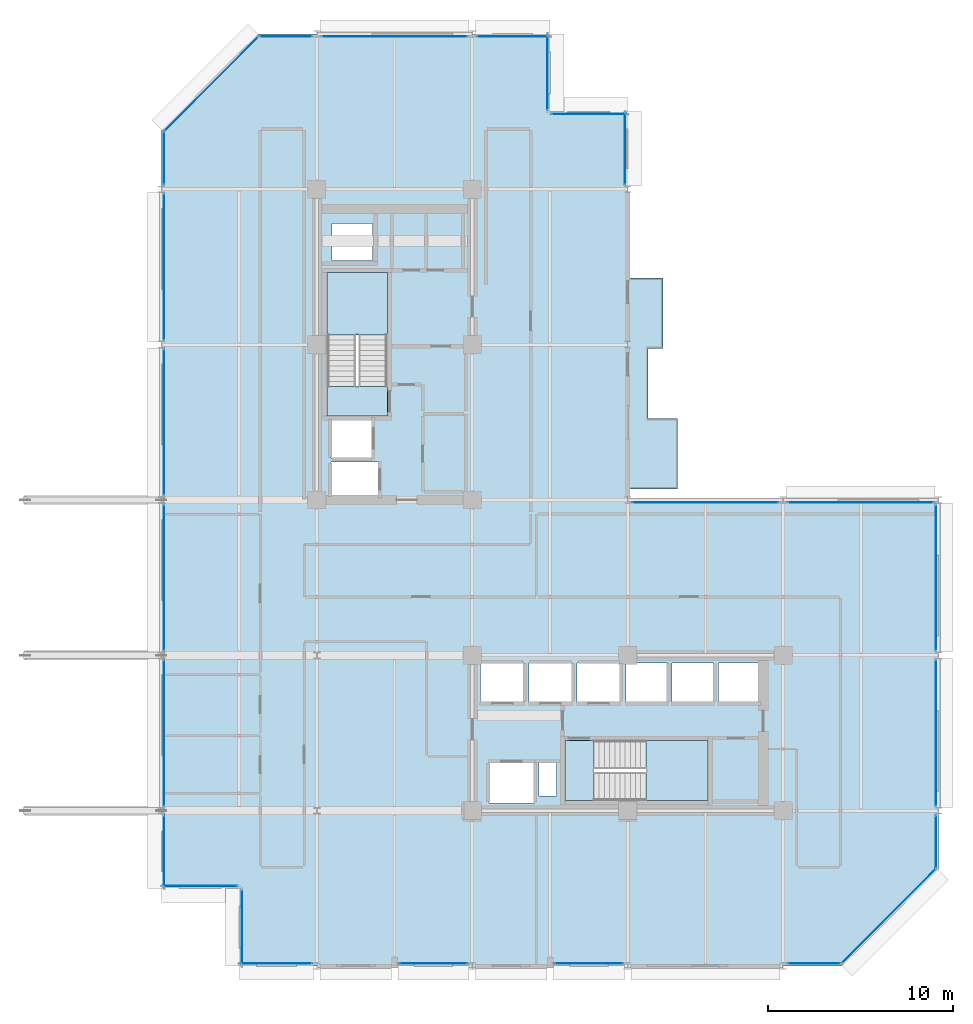
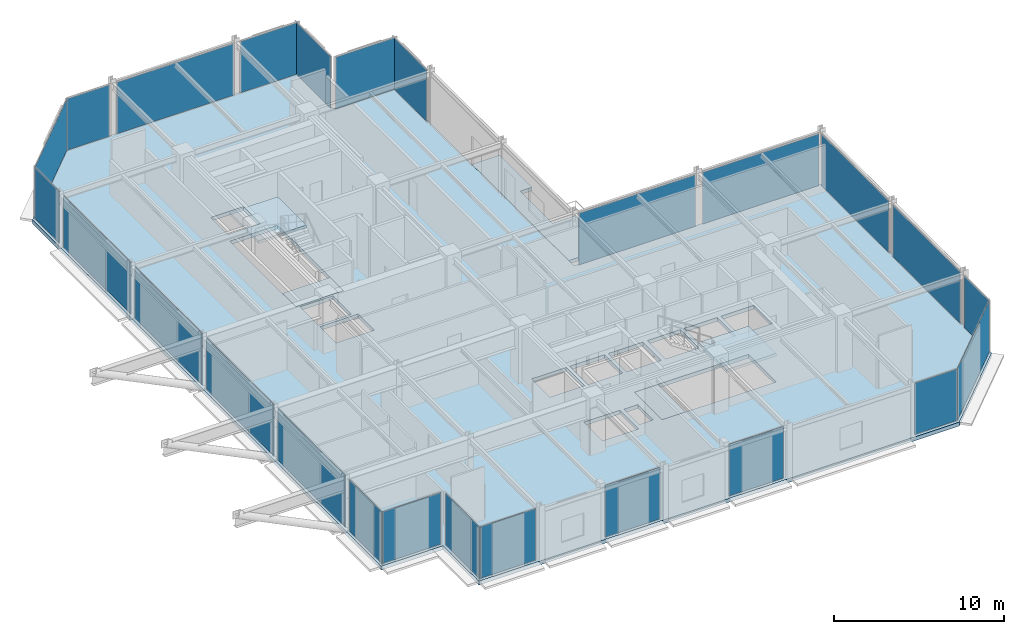
# One storey, part 24 of 30: 25 plates, 6 slabs, 27 elements without a shape of their own.
"""IFC4 building model written with IfcOpenShell, lengths in metres."""

from ifc_helpers import new_model, si_unit, direction, frame, origin, origin_2d, place, context, subcontext, project, spatial, polyline, rectangle, outline, extrude, material, layer, layer_set, type_object, element, aggregate, save


model = new_model("IFC4")

# Units and contexts
model_context = context("Model", 3, precision=1e-05, world=origin(), true_north=direction((0.0, 1.0)))
body_context = subcontext(model_context, "Body", "Model", "MODEL_VIEW")
ifc_project = project(units=[si_unit("LENGTHUNIT", "METRE"), si_unit("AREAUNIT", "SQUARE_METRE"), si_unit("VOLUMEUNIT", "CUBIC_METRE"), si_unit("PLANEANGLEUNIT", "RADIAN"), si_unit("MASSUNIT", "GRAM", prefix="KILO")], contexts=[model_context])

# Site, building, storey
site_placement = place(None, origin())
site = spatial("IfcSite", under=ifc_project, at=site_placement, CompositionType="ELEMENT")
building_placement = place(site_placement, origin())
building = spatial("IfcBuilding", under=site, at=building_placement, Name="Nerrivon Quay Data Exchange", CompositionType="ELEMENT")
storey_placement = place(building_placement, frame((0.0, 0.0, 167.300048828125)))
storey = spatial("IfcBuildingStorey", under=building, at=storey_placement, Name="L39", CompositionType="ELEMENT", Elevation=167.300048828125)

# Curtain wall, plate
ifc_material_1 = material(Name="Anodised aluminium 6063-T6", Category="aluminium")
ifc_layer_1 = layer(ifc_material_1, 0.195068359375)
ifc_layer_set_1 = layer_set([ifc_layer_1], Name="Anodised aluminium 6063-T6")
curtain_wall_type = type_object("IfcCurtainWallType", Name="CW-SYS-06", PredefinedType="NOTDEFINED", material=ifc_layer_set_1)
curtain_wall_1_placement = place(storey_placement, origin())
curtain_wall_1 = element("IfcCurtainWall", 1, at=curtain_wall_1_placement, inside=storey, type_object=curtain_wall_type, Name="L39 Unitised Curtain Wall 1", PredefinedType="NOTDEFINED")
ifc_material_2 = material(Name="Double-glazed low-E solar control glass", Category="glass")
ifc_layer_2 = layer(ifc_material_2, 0.028076171875)
ifc_layer_set_2 = layer_set([ifc_layer_2], Name="Double-glazed low-E solar control glass")
plate_type = type_object("IfcPlateType", Name="CWP-GLZ-28", PredefinedType="CURTAIN_PANEL", material=ifc_layer_set_2)
plate_1_placement = place(storey_placement, frame((39.301025390625, 2.698974609375, 0.06494140625), z_axis=(0.0, 0.0, 1.0), x_axis=(-0.707106781187, -0.707106781187, 0.0)))
plate_1 = element("IfcPlate", 2, at=plate_1_placement, type_object=plate_type, Name="CW06 panel 1.1", PredefinedType="CURTAIN_PANEL", context=body_context, shape_type="SweptSolid", body=[
    extrude(rectangle(XDim=7.203857421875, YDim=0.028076171875, at=origin_2d()), origin(), (0.0, 0.0, 1.0), 3.695068359375),
])
aggregate(curtain_wall_1, [plate_1])

curtain_wall_2_placement = place(storey_placement, origin())
curtain_wall_2 = element("IfcCurtainWall", 3, at=curtain_wall_2_placement, inside=storey, type_object=curtain_wall_type, Name="L39 Unitised Curtain Wall 2", PredefinedType="NOTDEFINED")
plate_2_placement = place(storey_placement, frame((35.28759765625, 0.139892578125, 0.06494140625), z_axis=(0.0, 0.0, 1.0), x_axis=(-1.0, 0.0, 0.0)))
plate_2 = element("IfcPlate", 4, at=plate_2_placement, type_object=plate_type, Name="CW06 panel 1.1", PredefinedType="CURTAIN_PANEL", context=body_context, shape_type="SweptSolid", body=[
    extrude(rectangle(XDim=2.875, YDim=0.028076171875, at=origin_2d()), origin(), (0.0, 0.0, 1.0), 3.695068359375),
])
aggregate(curtain_wall_2, [plate_2])

curtain_wall_3_placement = place(storey_placement, origin())
curtain_wall_3 = element("IfcCurtainWall", 5, at=curtain_wall_3_placement, inside=storey, type_object=curtain_wall_type, Name="L39 Unitised Curtain Wall 4", PredefinedType="NOTDEFINED")
plate_3_placement = place(storey_placement, frame((23.10009765625, 0.139892578125, 0.06494140625), z_axis=(0.0, 0.0, 1.0), x_axis=(-1.0, 0.0, 0.0)))
plate_3 = element("IfcPlate", 6, at=plate_3_placement, type_object=plate_type, Name="CW06 panel 1.1", PredefinedType="CURTAIN_PANEL", context=body_context, shape_type="SweptSolid", body=[
    extrude(rectangle(XDim=3.699951171875, YDim=0.028076171875, at=origin_2d()), origin(), (0.0, 0.0, 1.0), 3.695068359375),
])
aggregate(curtain_wall_3, [plate_3])

curtain_wall_4_placement = place(storey_placement, origin())
curtain_wall_4 = element("IfcCurtainWall", 7, at=curtain_wall_4_placement, inside=storey, type_object=curtain_wall_type, Name="L39 Unitised Curtain Wall 6", PredefinedType="NOTDEFINED")
plate_4_placement = place(storey_placement, frame((14.699951171875, 0.139892578125, 0.06494140625), z_axis=(0.0, 0.0, 1.0), x_axis=(-1.0, 0.0, 0.0)))
plate_4 = element("IfcPlate", 8, at=plate_4_placement, type_object=plate_type, Name="CW06 panel 1.1", PredefinedType="CURTAIN_PANEL", context=body_context, shape_type="SweptSolid", body=[
    extrude(rectangle(XDim=3.699951171875, YDim=0.028076171875, at=origin_2d()), origin(), (0.0, 0.0, 1.0), 3.695068359375),
])
aggregate(curtain_wall_4, [plate_4])

curtain_wall_5_placement = place(storey_placement, origin())
curtain_wall_5 = element("IfcCurtainWall", 9, at=curtain_wall_5_placement, inside=storey, type_object=curtain_wall_type, Name="L39 Unitised Curtain Wall 8", PredefinedType="NOTDEFINED")
plate_5_placement = place(storey_placement, frame((6.21240234375, 0.139892578125, 0.06494140625), z_axis=(0.0, 0.0, 1.0), x_axis=(-1.0, 0.0, 0.0)))
plate_5 = element("IfcPlate", 10, at=plate_5_placement, type_object=plate_type, Name="CW06 panel 1.1", PredefinedType="CURTAIN_PANEL", context=body_context, shape_type="SweptSolid", body=[
    extrude(rectangle(XDim=3.875, YDim=0.028076171875, at=origin_2d()), origin(), (0.0, 0.0, 1.0), 3.695068359375),
])
aggregate(curtain_wall_5, [plate_5])

curtain_wall_6_placement = place(storey_placement, origin())
curtain_wall_6 = element("IfcCurtainWall", 11, at=curtain_wall_6_placement, inside=storey, type_object=curtain_wall_type, Name="L39 Unitised Curtain Wall 9", PredefinedType="NOTDEFINED")
plate_6_placement = place(storey_placement, frame((4.340087890625, 2.10009765625, 0.06494140625), z_axis=(0.0, 0.0, 1.0), x_axis=(0.0, 1.0, 0.0)))
plate_6 = element("IfcPlate", 12, at=plate_6_placement, type_object=plate_type, Name="CW06 panel 1.1", PredefinedType="CURTAIN_PANEL", context=body_context, shape_type="SweptSolid", body=[
    extrude(rectangle(XDim=4.050048828125, YDim=0.028076171875, at=origin_2d()), origin(), (0.0, 0.0, 1.0), 3.695068359375),
])
aggregate(curtain_wall_6, [plate_6])

curtain_wall_7_placement = place(storey_placement, origin())
curtain_wall_7 = element("IfcCurtainWall", 13, at=curtain_wall_7_placement, inside=storey, type_object=curtain_wall_type, Name="L39 Unitised Curtain Wall 10", PredefinedType="NOTDEFINED")
plate_7_placement = place(storey_placement, frame((2.10009765625, 4.340087890625, 0.06494140625), z_axis=(0.0, 0.0, 1.0), x_axis=(-1.0, 0.0, 0.0)))
plate_7 = element("IfcPlate", 14, at=plate_7_placement, type_object=plate_type, Name="CW06 panel 1.1", PredefinedType="CURTAIN_PANEL", context=body_context, shape_type="SweptSolid", body=[
    extrude(rectangle(XDim=4.050048828125, YDim=0.028076171875, at=origin_2d()), origin(), (0.0, 0.0, 1.0), 3.695068359375),
])
aggregate(curtain_wall_7, [plate_7])

curtain_wall_8_placement = place(storey_placement, origin())
curtain_wall_8 = element("IfcCurtainWall", 15, at=curtain_wall_8_placement, inside=storey, type_object=curtain_wall_type, Name="L39 Unitised Curtain Wall 11", PredefinedType="NOTDEFINED")
plate_8_placement = place(storey_placement, frame((0.139892578125, 6.21240234375, 0.06494140625), z_axis=(0.0, 0.0, 1.0), x_axis=(0.0, 1.0, 0.0)))
plate_8 = element("IfcPlate", 16, at=plate_8_placement, type_object=plate_type, Name="CW06 panel 1.1", PredefinedType="CURTAIN_PANEL", context=body_context, shape_type="SweptSolid", body=[
    extrude(rectangle(XDim=3.875, YDim=0.028076171875, at=origin_2d()), origin(), (0.0, 0.0, 1.0), 3.695068359375),
])
aggregate(curtain_wall_8, [plate_8])

curtain_wall_9_placement = place(storey_placement, origin())
curtain_wall_9 = element("IfcCurtainWall", 17, at=curtain_wall_9_placement, inside=storey, type_object=curtain_wall_type, Name="L39 Unitised Curtain Wall 12", PredefinedType="NOTDEFINED")
plate_9_placement = place(storey_placement, frame((0.139892578125, 12.60009765625, 0.06494140625), z_axis=(0.0, 0.0, 1.0), x_axis=(0.0, 1.0, 0.0)))
plate_9 = element("IfcPlate", 18, at=plate_9_placement, type_object=plate_type, Name="CW06 panel 1.1", PredefinedType="CURTAIN_PANEL", context=body_context, shape_type="SweptSolid", body=[
    extrude(rectangle(XDim=7.89990234375, YDim=0.028076171875, at=origin_2d()), origin(), (0.0, 0.0, 1.0), 3.695068359375),
])
aggregate(curtain_wall_9, [plate_9])

curtain_wall_10_placement = place(storey_placement, origin())
curtain_wall_10 = element("IfcCurtainWall", 19, at=curtain_wall_10_placement, inside=storey, type_object=curtain_wall_type, Name="L39 Unitised Curtain Wall 13", PredefinedType="NOTDEFINED")
plate_10_placement = place(storey_placement, frame((0.139892578125, 21.0, 0.06494140625), z_axis=(0.0, 0.0, 1.0), x_axis=(0.0, 1.0, 0.0)))
plate_10 = element("IfcPlate", 20, at=plate_10_placement, type_object=plate_type, Name="CW06 panel 1.1", PredefinedType="CURTAIN_PANEL", context=body_context, shape_type="SweptSolid", body=[
    extrude(rectangle(XDim=7.89990234375, YDim=0.028076171875, at=origin_2d()), origin(), (0.0, 0.0, 1.0), 3.695068359375),
])
aggregate(curtain_wall_10, [plate_10])

curtain_wall_11_placement = place(storey_placement, origin())
curtain_wall_11 = element("IfcCurtainWall", 21, at=curtain_wall_11_placement, inside=storey, type_object=curtain_wall_type, Name="L39 Unitised Curtain Wall 14", PredefinedType="NOTDEFINED")
plate_11_placement = place(storey_placement, frame((0.139892578125, 29.39990234375, 0.06494140625), z_axis=(0.0, 0.0, 1.0), x_axis=(0.0, 1.0, 0.0)))
plate_11 = element("IfcPlate", 22, at=plate_11_placement, type_object=plate_type, Name="CW06 panel 1.1", PredefinedType="CURTAIN_PANEL", context=body_context, shape_type="SweptSolid", body=[
    extrude(rectangle(XDim=7.89990234375, YDim=0.028076171875, at=origin_2d()), origin(), (0.0, 0.0, 1.0), 3.695068359375),
])
aggregate(curtain_wall_11, [plate_11])

curtain_wall_12_placement = place(storey_placement, origin())
curtain_wall_12 = element("IfcCurtainWall", 23, at=curtain_wall_12_placement, inside=storey, type_object=curtain_wall_type, Name="L39 Unitised Curtain Wall 15", PredefinedType="NOTDEFINED")
plate_12_placement = place(storey_placement, frame((0.139892578125, 37.800048828125, 0.06494140625), z_axis=(0.0, 0.0, 1.0), x_axis=(0.0, 1.0, 0.0)))
plate_12 = element("IfcPlate", 24, at=plate_12_placement, type_object=plate_type, Name="CW06 panel 1.1", PredefinedType="CURTAIN_PANEL", context=body_context, shape_type="SweptSolid", body=[
    extrude(rectangle(XDim=7.89990234375, YDim=0.028076171875, at=origin_2d()), origin(), (0.0, 0.0, 1.0), 3.695068359375),
])
aggregate(curtain_wall_12, [plate_12])

curtain_wall_13_placement = place(storey_placement, origin())
curtain_wall_13 = element("IfcCurtainWall", 25, at=curtain_wall_13_placement, inside=storey, type_object=curtain_wall_type, Name="L39 Unitised Curtain Wall 16", PredefinedType="NOTDEFINED")
plate_13_placement = place(storey_placement, frame((0.139892578125, 43.6875, 0.06494140625), z_axis=(0.0, 0.0, 1.0), x_axis=(0.0, 1.0, 0.0)))
plate_13 = element("IfcPlate", 26, at=plate_13_placement, type_object=plate_type, Name="CW06 panel 1.1", PredefinedType="CURTAIN_PANEL", context=body_context, shape_type="SweptSolid", body=[
    extrude(rectangle(XDim=2.875, YDim=0.028076171875, at=origin_2d()), origin(), (0.0, 0.0, 1.0), 3.695068359375),
])
aggregate(curtain_wall_13, [plate_13])

curtain_wall_14_placement = place(storey_placement, origin())
curtain_wall_14 = element("IfcCurtainWall", 27, at=curtain_wall_14_placement, inside=storey, type_object=curtain_wall_type, Name="L39 Unitised Curtain Wall 17", PredefinedType="NOTDEFINED")
plate_14_placement = place(storey_placement, frame((2.698974609375, 47.700927734375, 0.06494140625), z_axis=(0.0, 0.0, 1.0), x_axis=(0.707106781187, 0.707106781187, 0.0)))
plate_14 = element("IfcPlate", 28, at=plate_14_placement, type_object=plate_type, Name="CW06 panel 1.1", PredefinedType="CURTAIN_PANEL", context=body_context, shape_type="SweptSolid", body=[
    extrude(rectangle(XDim=7.203857421875, YDim=0.028076171875, at=origin_2d()), origin(), (0.0, 0.0, 1.0), 3.695068359375),
])
aggregate(curtain_wall_14, [plate_14])

curtain_wall_15_placement = place(storey_placement, origin())
curtain_wall_15 = element("IfcCurtainWall", 29, at=curtain_wall_15_placement, inside=storey, type_object=curtain_wall_type, Name="L39 Unitised Curtain Wall 18", PredefinedType="NOTDEFINED")
plate_15_placement = place(storey_placement, frame((6.71240234375, 50.260009765625, 0.06494140625), z_axis=(0.0, 0.0, 1.0), x_axis=(1.0, 0.0, 0.0)))
plate_15 = element("IfcPlate", 30, at=plate_15_placement, type_object=plate_type, Name="CW06 panel 1.1", PredefinedType="CURTAIN_PANEL", context=body_context, shape_type="SweptSolid", body=[
    extrude(rectangle(XDim=2.875, YDim=0.028076171875, at=origin_2d()), origin(), (0.0, 0.0, 1.0), 3.695068359375),
])
aggregate(curtain_wall_15, [plate_15])

curtain_wall_16_placement = place(storey_placement, origin())
curtain_wall_16 = element("IfcCurtainWall", 31, at=curtain_wall_16_placement, inside=storey, type_object=curtain_wall_type, Name="L39 Unitised Curtain Wall 19", PredefinedType="NOTDEFINED")
plate_16_placement = place(storey_placement, frame((12.60009765625, 50.260009765625, 0.06494140625), z_axis=(0.0, 0.0, 1.0), x_axis=(1.0, 0.0, 0.0)))
plate_16 = element("IfcPlate", 32, at=plate_16_placement, type_object=plate_type, Name="CW06 panel 1.1", PredefinedType="CURTAIN_PANEL", context=body_context, shape_type="SweptSolid", body=[
    extrude(rectangle(XDim=7.89990234375, YDim=0.028076171875, at=origin_2d()), origin(), (0.0, 0.0, 1.0), 3.695068359375),
])
aggregate(curtain_wall_16, [plate_16])

curtain_wall_17_placement = place(storey_placement, origin())
curtain_wall_17 = element("IfcCurtainWall", 33, at=curtain_wall_17_placement, inside=storey, type_object=curtain_wall_type, Name="L39 Unitised Curtain Wall 20", PredefinedType="NOTDEFINED")
plate_17_placement = place(storey_placement, frame((18.987548828125, 50.260009765625, 0.06494140625), z_axis=(0.0, 0.0, 1.0), x_axis=(1.0, 0.0, 0.0)))
plate_17 = element("IfcPlate", 34, at=plate_17_placement, type_object=plate_type, Name="CW06 panel 1.1", PredefinedType="CURTAIN_PANEL", context=body_context, shape_type="SweptSolid", body=[
    extrude(rectangle(XDim=3.875, YDim=0.028076171875, at=origin_2d()), origin(), (0.0, 0.0, 1.0), 3.695068359375),
])
aggregate(curtain_wall_17, [plate_17])

curtain_wall_18_placement = place(storey_placement, origin())
curtain_wall_18 = element("IfcCurtainWall", 35, at=curtain_wall_18_placement, inside=storey, type_object=curtain_wall_type, Name="L39 Unitised Curtain Wall 21", PredefinedType="NOTDEFINED")
plate_18_placement = place(storey_placement, frame((20.860107421875, 48.300048828125, 0.06494140625), z_axis=(0.0, 0.0, 1.0), x_axis=(0.0, -1.0, 0.0)))
plate_18 = element("IfcPlate", 36, at=plate_18_placement, type_object=plate_type, Name="CW06 panel 1.1", PredefinedType="CURTAIN_PANEL", context=body_context, shape_type="SweptSolid", body=[
    extrude(rectangle(XDim=4.050048828125, YDim=0.028076171875, at=origin_2d()), origin(), (0.0, 0.0, 1.0), 3.695068359375),
])
aggregate(curtain_wall_18, [plate_18])

curtain_wall_19_placement = place(storey_placement, origin())
curtain_wall_19 = element("IfcCurtainWall", 37, at=curtain_wall_19_placement, inside=storey, type_object=curtain_wall_type, Name="L39 Unitised Curtain Wall 22", PredefinedType="NOTDEFINED")
plate_19_placement = place(storey_placement, frame((23.10009765625, 46.06005859375, 0.06494140625), z_axis=(0.0, 0.0, 1.0), x_axis=(1.0, 0.0, 0.0)))
plate_19 = element("IfcPlate", 38, at=plate_19_placement, type_object=plate_type, Name="CW06 panel 1.1", PredefinedType="CURTAIN_PANEL", context=body_context, shape_type="SweptSolid", body=[
    extrude(rectangle(XDim=4.050048828125, YDim=0.028076171875, at=origin_2d()), origin(), (0.0, 0.0, 1.0), 3.695068359375),
])
aggregate(curtain_wall_19, [plate_19])

curtain_wall_20_placement = place(storey_placement, origin())
curtain_wall_20 = element("IfcCurtainWall", 39, at=curtain_wall_20_placement, inside=storey, type_object=curtain_wall_type, Name="L39 Unitised Curtain Wall 23", PredefinedType="NOTDEFINED")
plate_20_placement = place(storey_placement, frame((25.06005859375, 44.1875, 0.06494140625), z_axis=(0.0, 0.0, 1.0), x_axis=(0.0, -1.0, 0.0)))
plate_20 = element("IfcPlate", 40, at=plate_20_placement, type_object=plate_type, Name="CW06 panel 1.1", PredefinedType="CURTAIN_PANEL", context=body_context, shape_type="SweptSolid", body=[
    extrude(rectangle(XDim=3.875, YDim=0.028076171875, at=origin_2d()), origin(), (0.0, 0.0, 1.0), 3.695068359375),
])
aggregate(curtain_wall_20, [plate_20])

curtain_wall_21_placement = place(storey_placement, origin())
curtain_wall_21 = element("IfcCurtainWall", 41, at=curtain_wall_21_placement, inside=storey, type_object=curtain_wall_type, Name="L39 Unitised Curtain Wall 26", PredefinedType="NOTDEFINED")
plate_21_placement = place(storey_placement, frame((29.39990234375, 25.06005859375, 0.06494140625), z_axis=(0.0, 0.0, 1.0), x_axis=(1.0, 0.0, 0.0)))
plate_21 = element("IfcPlate", 42, at=plate_21_placement, type_object=plate_type, Name="CW06 panel 1.1", PredefinedType="CURTAIN_PANEL", context=body_context, shape_type="SweptSolid", body=[
    extrude(rectangle(XDim=7.89990234375, YDim=0.028076171875, at=origin_2d()), origin(), (0.0, 0.0, 1.0), 3.695068359375),
])
aggregate(curtain_wall_21, [plate_21])

curtain_wall_22_placement = place(storey_placement, origin())
curtain_wall_22 = element("IfcCurtainWall", 43, at=curtain_wall_22_placement, inside=storey, type_object=curtain_wall_type, Name="L39 Unitised Curtain Wall 27", PredefinedType="NOTDEFINED")
plate_22_placement = place(storey_placement, frame((37.800048828125, 25.06005859375, 0.06494140625), z_axis=(0.0, 0.0, 1.0), x_axis=(1.0, 0.0, 0.0)))
plate_22 = element("IfcPlate", 44, at=plate_22_placement, type_object=plate_type, Name="CW06 panel 1.1", PredefinedType="CURTAIN_PANEL", context=body_context, shape_type="SweptSolid", body=[
    extrude(rectangle(XDim=7.89990234375, YDim=0.028076171875, at=origin_2d()), origin(), (0.0, 0.0, 1.0), 3.695068359375),
])
aggregate(curtain_wall_22, [plate_22])

curtain_wall_23_placement = place(storey_placement, origin())
curtain_wall_23 = element("IfcCurtainWall", 45, at=curtain_wall_23_placement, inside=storey, type_object=curtain_wall_type, Name="L39 Unitised Curtain Wall 28", PredefinedType="NOTDEFINED")
plate_23_placement = place(storey_placement, frame((41.860107421875, 21.0, 0.06494140625), z_axis=(0.0, 0.0, 1.0), x_axis=(0.0, -1.0, 0.0)))
plate_23 = element("IfcPlate", 46, at=plate_23_placement, type_object=plate_type, Name="CW06 panel 1.1", PredefinedType="CURTAIN_PANEL", context=body_context, shape_type="SweptSolid", body=[
    extrude(rectangle(XDim=7.89990234375, YDim=0.028076171875, at=origin_2d()), origin(), (0.0, 0.0, 1.0), 3.695068359375),
])
aggregate(curtain_wall_23, [plate_23])

curtain_wall_24_placement = place(storey_placement, origin())
curtain_wall_24 = element("IfcCurtainWall", 47, at=curtain_wall_24_placement, inside=storey, type_object=curtain_wall_type, Name="L39 Unitised Curtain Wall 29", PredefinedType="NOTDEFINED")
plate_24_placement = place(storey_placement, frame((41.860107421875, 12.60009765625, 0.06494140625), z_axis=(0.0, 0.0, 1.0), x_axis=(0.0, -1.0, 0.0)))
plate_24 = element("IfcPlate", 48, at=plate_24_placement, type_object=plate_type, Name="CW06 panel 1.1", PredefinedType="CURTAIN_PANEL", context=body_context, shape_type="SweptSolid", body=[
    extrude(rectangle(XDim=7.89990234375, YDim=0.028076171875, at=origin_2d()), origin(), (0.0, 0.0, 1.0), 3.695068359375),
])
aggregate(curtain_wall_24, [plate_24])

curtain_wall_25_placement = place(storey_placement, origin())
curtain_wall_25 = element("IfcCurtainWall", 49, at=curtain_wall_25_placement, inside=storey, type_object=curtain_wall_type, Name="L39 Unitised Curtain Wall 30", PredefinedType="NOTDEFINED")
plate_25_placement = place(storey_placement, frame((41.860107421875, 6.71240234375, 0.06494140625), z_axis=(0.0, 0.0, 1.0), x_axis=(0.0, -1.0, 0.0)))
plate_25 = element("IfcPlate", 50, at=plate_25_placement, type_object=plate_type, Name="CW06 panel 1.1", PredefinedType="CURTAIN_PANEL", context=body_context, shape_type="SweptSolid", body=[
    extrude(rectangle(XDim=2.875, YDim=0.028076171875, at=origin_2d()), origin(), (0.0, 0.0, 1.0), 3.695068359375),
])
aggregate(curtain_wall_25, [plate_25])

# Slab
ifc_material_3 = material(Name="Precast white architectural concrete N50 (50 MPa)", Category="concrete")
ifc_layer_3 = layer(ifc_material_3, 0.25)
ifc_layer_set_3 = layer_set([ifc_layer_3], Name="Precast white architectural concrete N50 (50 MPa)")
slab_type_1 = type_object("IfcSlabType", Name="SLB-BAL-250", PredefinedType="FLOOR", material=ifc_layer_set_3)
slab_1_placement = place(storey_placement, frame((0.0, 0.0, -0.25)))
element("IfcSlab", 51, at=slab_1_placement, inside=storey, type_object=slab_type_1, Name="L39 Waterfront Subtropical Verandah", PredefinedType="FLOOR", context=body_context, shape_type="SweptSolid", body=[
    extrude(outline(polyline([(26.300048828125, 29.60009765625), (26.300048828125, 33.39990234375), (27.10009765625, 33.39990234375), (27.10009765625, 37.199951171875), (25.199951171875, 37.199951171875), (25.199951171875, 33.39990234375), (25.199951171875, 29.60009765625), (25.199951171875, 25.800048828125), (27.89990234375, 25.800048828125), (27.89990234375, 29.60009765625), (26.300048828125, 29.60009765625)])), origin(), (0.0, 0.0, 1.0), 0.25),
])

# Stair, slab
ifc_material_4 = material(Name="Concrete N50 (50 MPa)", Category="concrete")
stair_type = type_object("IfcStairType", Name="STAIR-DOG-41", PredefinedType="HALF_TURN_STAIR", material=ifc_material_4)
stair_1_placement = place(storey_placement, origin())
stair_1 = element("IfcStair", 52, at=stair_1_placement, inside=storey, type_object=stair_type, Name="L39 West Core Fire Stair ST01", PredefinedType="HALF_TURN_STAIR")
ifc_layer_4 = layer(ifc_material_4, 0.199951171875)
ifc_layer_set_4 = layer_set([ifc_layer_4], Name="Concrete N50 (50 MPa)")
slab_type_2 = type_object("IfcSlabType", Name="SLB-LAND-200", PredefinedType="LANDING", material=ifc_layer_set_4)
slab_2_placement = place(storey_placement, frame((0.0, 0.0, 1.849853515625)))
slab_2 = element("IfcSlab", 53, at=slab_2_placement, type_object=slab_type_2, Name="ST01 landing 1", PredefinedType="LANDING", context=body_context, shape_type="SweptSolid", body=[
    extrude(outline(polyline([(12.199951171875, 34.1298828125), (12.199951171875, 37.5), (8.949951171875, 37.5), (8.949951171875, 34.1298828125), (12.199951171875, 34.1298828125)])), origin(), (0.0, 0.0, 1.0), 0.2001953125),
])
aggregate(stair_1, [slab_2])

# Slab
slab_3_placement = place(storey_placement, frame((0.0, 0.0, -0.199951171875)))
element("IfcSlab", 54, at=slab_3_placement, inside=storey, type_object=slab_type_2, Name="L39 ST01 floor landing", PredefinedType="LANDING", context=body_context, shape_type="SweptSolid", body=[
    extrude(outline(polyline([(12.199951171875, 29.75), (12.199951171875, 31.330078125), (8.949951171875, 31.330078125), (8.949951171875, 29.75), (12.199951171875, 29.75)])), origin(), (0.0, 0.0, 1.0), 0.199951171875),
])

# Stair, slab
stair_2_placement = place(storey_placement, origin())
stair_2 = element("IfcStair", 55, at=stair_2_placement, inside=storey, type_object=stair_type, Name="L39 East Core Fire Stair ST02", PredefinedType="HALF_TURN_STAIR")
slab_4_placement = place(storey_placement, frame((0.0, 0.0, 1.849853515625)))
slab_4 = element("IfcSlab", 56, at=slab_4_placement, type_object=slab_type_2, Name="ST02 landing 1", PredefinedType="LANDING", context=body_context, shape_type="SweptSolid", body=[
    extrude(outline(polyline([(26.179931640625, 8.949951171875), (29.550048828125, 8.949951171875), (29.550048828125, 12.199951171875), (26.179931640625, 12.199951171875), (26.179931640625, 8.949951171875)])), origin(), (0.0, 0.0, 1.0), 0.2001953125),
])
aggregate(stair_2, [slab_4])

# Slabs
slab_5_placement = place(storey_placement, frame((0.0, 0.0, -0.199951171875)))
element("IfcSlab", 57, at=slab_5_placement, inside=storey, type_object=slab_type_2, Name="L39 ST02 floor landing", PredefinedType="LANDING", context=body_context, shape_type="SweptSolid", body=[
    extrude(outline(polyline([(21.800048828125, 8.949951171875), (23.3798828125, 8.949951171875), (23.3798828125, 12.199951171875), (21.800048828125, 12.199951171875), (21.800048828125, 8.949951171875)])), origin(), (0.0, 0.0, 1.0), 0.199951171875),
])
ifc_layer_5 = layer(ifc_material_4, 0.27490234375)
ifc_layer_set_5 = layer_set([ifc_layer_5], Name="Concrete N50 (50 MPa)")
slab_type_3 = type_object("IfcSlabType", Name="SLB-TOW-275", PredefinedType="FLOOR", material=ifc_layer_set_5)
slab_6_placement = place(storey_placement, frame((0.0, 0.0, -0.275146484375)))
element("IfcSlab", 58, at=slab_6_placement, inside=storey, type_object=slab_type_3, Name="L39 Primary Structural Slab", PredefinedType="FLOOR", context=body_context, shape_type="SweptSolid", body=[
    extrude(outline(polyline([(42.0, 25.199951171875), (25.199951171875, 25.199951171875), (25.199951171875, 46.199951171875), (21.0, 46.199951171875), (21.0, 50.39990234375), (5.199951171875, 50.39990234375), (0.0, 45.199951171875), (0.0, 4.199951171875), (4.199951171875, 4.199951171875), (4.199951171875, 0.0), (36.800048828125, 0.0), (42.0, 5.199951171875), (42.0, 25.199951171875)]), holes=[polyline([(8.949951171875, 29.75), (8.949951171875, 37.5), (12.199951171875, 37.5), (12.199951171875, 29.75), (8.949951171875, 29.75)]), polyline([(21.800048828125, 12.199951171875), (29.550048828125, 12.199951171875), (29.550048828125, 8.949951171875), (21.800048828125, 8.949951171875), (21.800048828125, 12.199951171875)]), polyline([(30.10009765625, 16.39990234375), (32.35009765625, 16.39990234375), (32.35009765625, 14.25), (30.10009765625, 14.25), (30.10009765625, 16.39990234375)]), polyline([(27.60009765625, 16.39990234375), (29.85009765625, 16.39990234375), (29.85009765625, 14.25), (27.60009765625, 14.25), (27.60009765625, 16.39990234375)]), polyline([(25.10009765625, 14.25), (25.10009765625, 16.39990234375), (27.35009765625, 16.39990234375), (27.35009765625, 14.25), (25.10009765625, 14.25)]), polyline([(22.449951171875, 16.39990234375), (24.800048828125, 16.39990234375), (24.800048828125, 14.25), (22.449951171875, 14.25), (22.449951171875, 16.39990234375)]), polyline([(19.85009765625, 16.39990234375), (22.199951171875, 16.39990234375), (22.199951171875, 14.25), (19.85009765625, 14.25), (19.85009765625, 16.39990234375)]), polyline([(20.39990234375, 9.199951171875), (20.39990234375, 11.0), (21.35009765625, 11.0), (21.35009765625, 9.199951171875), (20.39990234375, 9.199951171875)]), polyline([(17.699951171875, 8.830078125), (17.699951171875, 11.030029296875), (20.14990234375, 11.030029296875), (20.14990234375, 8.830078125), (17.699951171875, 8.830078125)]), polyline([(17.25, 14.25), (17.25, 16.39990234375), (19.60009765625, 16.39990234375), (19.60009765625, 14.25), (17.25, 14.25)]), polyline([(9.14990234375, 27.25), (11.75, 27.25), (11.75, 25.35009765625), (9.14990234375, 25.35009765625), (9.14990234375, 27.25)]), polyline([(9.14990234375, 29.60009765625), (11.39990234375, 29.60009765625), (11.39990234375, 27.449951171875), (9.14990234375, 27.449951171875), (9.14990234375, 29.60009765625)]), polyline([(9.199951171875, 38.14990234375), (9.199951171875, 40.14990234375), (11.39990234375, 40.14990234375), (11.39990234375, 38.14990234375), (9.199951171875, 38.14990234375)])]), origin(), (0.0, 0.0, 1.0), 0.275146484375),
])

save(model, "model.ifc")
